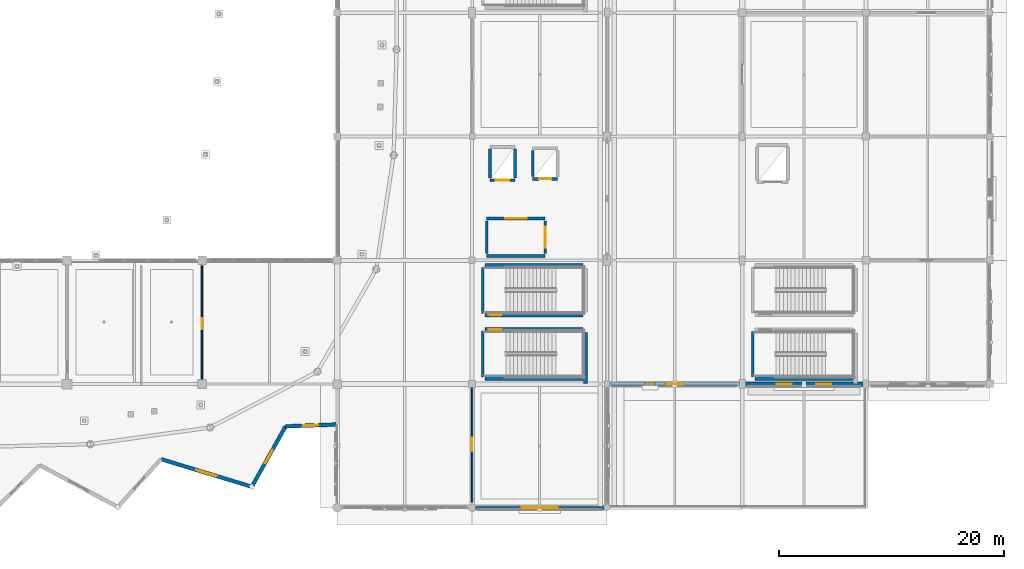
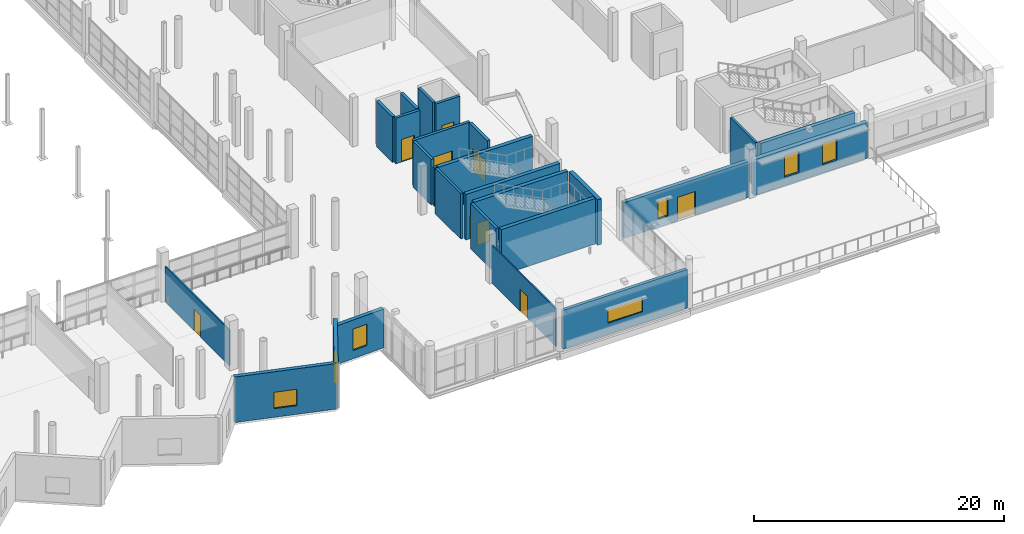
# One storey, part 97 of 143: 26 walls, 9 doors, 7 windows, 16 openings.
"""IFC4 building model written with IfcOpenShell, lengths in metres."""

import ifcopenshell
import ifcopenshell.guid

model = None  # the IFC model being written
_history = None  # IfcOwnerHistory: only IFC2X3 demands one
_inside = {}  # id of a spatial element -> (the spatial element, [elements in it])
_under = {}  # id of a project, library or spatial element -> (it, [spatial elements below it])
_declared = {}  # id of a project -> (the project, [libraries it declares])
_typed = {}  # id of a type object -> (the type object, [elements of that type])
_made_of = {}  # id of a material, layer set ... -> (it, [elements and type objects made of it])


def new_model(schema):
    """Start an empty IFC model of exactly this schema.

    Asked for "IFC4X3", IfcOpenShell would pick the latest addendum, in which some entities
    have other attributes; the version numbers below select the first issue.
    IFC2X3 requires an IfcOwnerHistory on every rooted entity: one is made here for all.
    """
    global model, _history
    if schema == "IFC4X3":
        model = ifcopenshell.file(schema_version=(4, 3, 0, 0))
    else:
        model = ifcopenshell.file(schema=schema)
    _inside.clear()
    _under.clear()
    _declared.clear()
    _typed.clear()
    _made_of.clear()
    _history = None
    if model.schema == "IFC2X3":
        org = make("IfcOrganization", Name="unknown")
        user = make(
            "IfcPersonAndOrganization",
            ThePerson=make("IfcPerson", FamilyName="unknown"),
            TheOrganization=org,
        )
        app = make(
            "IfcApplication",
            ApplicationDeveloper=org,
            Version="unknown",
            ApplicationFullName="unknown",
            ApplicationIdentifier="unknown",
        )
        _history = make(
            "IfcOwnerHistory",
            OwningUser=user,
            OwningApplication=app,
            ChangeAction="ADDED",
            CreationDate=0,
        )
    return model


def make(cls, **values):
    """One entity of the class cls with the attributes given. An attribute that is None is left unset."""
    return model.create_entity(
        cls, **{name: value for name, value in values.items() if value is not None}
    )


def rooted(cls, **values):
    """An entity with a GlobalId (a new one), such as an element, a storey or a relation."""
    return make(cls, GlobalId=ifcopenshell.guid.new(), OwnerHistory=_history, **values)


def si_unit(unit_type, name, prefix=None):
    """IfcSIUnit, for example si_unit("LENGTHUNIT", "METRE", prefix="MILLI")."""
    return make("IfcSIUnit", UnitType=unit_type, Prefix=prefix, Name=name)


def assignment(units):
    """IfcUnitAssignment: the units of a project."""
    return None if units is None else make("IfcUnitAssignment", Units=units)


def point(xyz):
    """IfcCartesianPoint."""
    return None if xyz is None else make("IfcCartesianPoint", Coordinates=xyz)


def direction(xyz):
    """IfcDirection."""
    return None if xyz is None else make("IfcDirection", DirectionRatios=xyz)


def frame(location, z_axis=None, x_axis=None):
    """IfcAxis2Placement3D, a coordinate frame: its origin and axes. An axis left out is left unset."""
    return make(
        "IfcAxis2Placement3D",
        Location=point(location),
        Axis=direction(z_axis),
        RefDirection=direction(x_axis),
    )


def frame_2d(location, x_axis=None):
    """IfcAxis2Placement2D, a coordinate frame in the plane: its origin and x axis."""
    return make(
        "IfcAxis2Placement2D", Location=point(location), RefDirection=direction(x_axis)
    )


def origin():
    """The frame at (0, 0, 0) with its axes left unset."""
    return frame((0.0, 0.0, 0.0))


def place(relative_to, where):
    """IfcLocalPlacement: puts the frame where relative to a parent placement (None: the world)."""
    return make(
        "IfcLocalPlacement", PlacementRelTo=relative_to, RelativePlacement=where
    )


def context(
    kind, dimensions, precision=None, world=None, true_north=None, identifier=None
):
    """IfcGeometricRepresentationContext, for example the 3D "Model" context."""
    return make(
        "IfcGeometricRepresentationContext",
        ContextIdentifier=identifier,
        ContextType=kind,
        CoordinateSpaceDimension=dimensions,
        Precision=precision,
        WorldCoordinateSystem=world,
        TrueNorth=true_north,
    )


def subcontext(parent, identifier, kind, view, scale=None):
    """IfcGeometricRepresentationSubContext, for example "Body" below "Model"."""
    return make(
        "IfcGeometricRepresentationSubContext",
        ContextIdentifier=identifier,
        ContextType=kind,
        ParentContext=parent,
        TargetScale=scale,
        TargetView=view,
    )


def project(units=None, contexts=None):
    """IfcProject with its units and contexts."""
    return rooted(
        "IfcProject",
        Name="project",
        RepresentationContexts=contexts,
        UnitsInContext=assignment(units),
    )


def spatial(cls, under=None, at=None, **own):
    """A site, building, storey or space (cls), placed at a placement, below another one or the project."""
    s = rooted(cls, ObjectPlacement=at, **own)
    if under is not None:
        _under.setdefault(under.id(), (under, []))[1].append(s)
    return s


def profile(cls, at=None, kind="AREA", **sizes):
    """A parametric profile (cls). Its sizes go by their IFC names, for example OverallWidth=200.0."""
    return make(cls, ProfileType=kind, Position=at, **sizes)


def rectangle(**sizes):
    """IfcRectangleProfileDef."""
    return profile("IfcRectangleProfileDef", **sizes)


def extrude(swept, where, along, depth):
    """IfcExtrudedAreaSolid: the profile swept, set in the frame where, extruded along a direction by depth."""
    return make(
        "IfcExtrudedAreaSolid",
        SweptArea=swept,
        Position=where,
        ExtrudedDirection=direction(along),
        Depth=depth,
    )


def shape(context_of_items, identifier, shape_type, items):
    """IfcShapeRepresentation: the items that make up one representation, for example the "Body"."""
    return make(
        "IfcShapeRepresentation",
        ContextOfItems=context_of_items,
        RepresentationIdentifier=identifier,
        RepresentationType=shape_type,
        Items=items,
    )


def material(Name=None, Category=None):
    """IfcMaterial."""
    return make("IfcMaterial", Name=Name, Category=Category)


def layer(
    of_material, thickness, ventilated=None, Name=None, Category=None, Priority=None
):
    """IfcMaterialLayer: one layer of a wall or slab, of a material (None: an air gap)."""
    return make(
        "IfcMaterialLayer",
        Material=of_material,
        LayerThickness=thickness,
        IsVentilated=ventilated,
        Name=Name,
        Category=Category,
        Priority=Priority,
    )


def layer_set(layers, Name=None):
    """IfcMaterialLayerSet."""
    return make("IfcMaterialLayerSet", MaterialLayers=layers, LayerSetName=Name)


def made_of(thing, what):
    """Note that an element or type object is made of a material, layer set ...; save() writes the relation."""
    if what is not None:
        _made_of.setdefault(what.id(), (what, []))[1].append(thing)
    return thing


def type_object(cls, material=None, **own):
    """A type object (cls), such as IfcWallType, which elements share."""
    return made_of(rooted(cls, **own), material)


def element(
    cls,
    number,
    at=None,
    inside=None,
    cuts=None,
    type_object=None,
    material=None,
    context=None,
    identifier="Body",
    shape_type=None,
    held_by="IfcProductDefinitionShape",
    body=None,
    shapes=None,
    **own,
):
    """One element of the class cls, such as IfcWall. Its Tag is "e" and its number.

    at: its placement. inside: the storey or other place that contains it. cuts: it is an
    opening in that element (IfcRelVoidsElement). A single representation is given by context,
    identifier, shape_type and body (its items); several are given by shapes. held_by: the class
    of the entity that holds the representations. save() writes the other relations.
    """
    e = rooted(cls, Tag="e%d" % number, ObjectPlacement=at, **own)
    if body is not None:
        shapes = [shape(context, identifier, shape_type, body)]
    if shapes is not None:
        e.Representation = make(held_by, Representations=shapes)
    if inside is not None:
        _inside.setdefault(inside.id(), (inside, []))[1].append(e)
    if cuts is not None:
        rooted(
            "IfcRelVoidsElement", RelatingBuildingElement=cuts, RelatedOpeningElement=e
        )
    if type_object is not None:
        _typed.setdefault(type_object.id(), (type_object, []))[1].append(e)
    return made_of(e, material)


def fill(opening, filler):
    """IfcRelFillsElement: the door or window that sits in an opening."""
    return rooted(
        "IfcRelFillsElement",
        RelatingOpeningElement=opening,
        RelatedBuildingElement=filler,
    )


def aggregate(whole, parts):
    """IfcRelAggregates: a whole, such as a stair, and the parts it consists of."""
    return rooted("IfcRelAggregates", RelatingObject=whole, RelatedObjects=parts)


def save(model, path):
    """Write the relations noted so far, then the file.

    IfcRelAggregates (storeys below a building ...), IfcRelContainedInSpatialStructure (elements
    in a storey), IfcRelDefinesByType, IfcRelAssociatesMaterial and IfcRelDeclares: one each for
    every whole, place, type object, material and project.
    """
    for whole, parts in _under.values():
        aggregate(whole, parts)
    for where, things in _inside.values():
        rooted(
            "IfcRelContainedInSpatialStructure",
            RelatedElements=things,
            RelatingStructure=where,
        )
    for kind, things in _typed.values():
        rooted("IfcRelDefinesByType", RelatedObjects=things, RelatingType=kind)
    for what, things in _made_of.values():
        rooted("IfcRelAssociatesMaterial", RelatedObjects=things, RelatingMaterial=what)
    for by, libraries in _declared.values():
        rooted("IfcRelDeclares", RelatingContext=by, RelatedDefinitions=libraries)
    model.write(path)


model = new_model("IFC4")

# Units and contexts
model_context = context("Model", 3, precision=1e-05, world=origin(), true_north=direction((0.0, 1.0)))
body_context = subcontext(model_context, "Body", "Model", "MODEL_VIEW")
ifc_project = project(units=[si_unit("LENGTHUNIT", "METRE"), si_unit("AREAUNIT", "SQUARE_METRE"), si_unit("VOLUMEUNIT", "CUBIC_METRE"), si_unit("PLANEANGLEUNIT", "RADIAN"), si_unit("MASSUNIT", "GRAM", prefix="KILO")], contexts=[model_context])

# Site, building, storey
site_placement = place(None, origin())
site = spatial("IfcSite", under=ifc_project, at=site_placement, CompositionType="ELEMENT")
building_placement = place(site_placement, origin())
building = spatial("IfcBuilding", under=site, at=building_placement, Name="Luwafu Chhajja Arena", CompositionType="ELEMENT")
storey_placement = place(building_placement, frame((0.0, 0.0, 5.39990234375)))
storey = spatial("IfcBuildingStorey", under=building, at=storey_placement, Name="L01", CompositionType="ELEMENT", Elevation=5.39990234375)

# Wall, opening, window
ifc_material_1 = material(Name="Concrete C35/45", Category="concrete")
ifc_layer_1 = layer(ifc_material_1, 0.280029296875, Name="Concrete C35/45")
ifc_layer_set_1 = layer_set([ifc_layer_1], Name="Concrete C35/45")
wall_type_1 = type_object("IfcWallType", Name="Colonnade Arcade Spandrel Wall 280", PredefinedType="SOLIDWALL", material=ifc_layer_set_1)
wall_1_placement = place(storey_placement, frame((152.219970703125, 0.0, 0.0), z_axis=(0.0, 0.0, 1.0), x_axis=(1.0, 0.0, 0.0)))
wall_1 = element("IfcWall", 1, at=wall_1_placement, inside=storey, type_object=wall_type_1, Name="L01 Exterior Wall WEX-L01-132", PredefinedType="SOLIDWALL", context=body_context, shape_type="SweptSolid", body=[
    extrude(rectangle(XDim=11.56005859375, YDim=0.280029296875, at=frame_2d((5.780029296875, 0.0))), origin(), (0.0, 0.0, 1.0), 3.7900390625),
])
opening_1_placement = place(wall_1_placement, frame((4.179931640625, 0.0, 1.10009765625)))
opening_1 = element("IfcOpeningElement", 2, at=opening_1_placement, cuts=wall_1, Name="Opening WN-08", PredefinedType="OPENING", context=body_context, shape_type="SweptSolid", body=[
    extrude(rectangle(XDim=3.199951171875, YDim=1.39990234375, at=frame_2d((1.60009765625, 0.699951171875))), frame((0.0, 0.14990234375, 0.0), z_axis=(0.0, -1.0, 0.0), x_axis=(1.0, 0.0, 0.0)), (0.0, 0.0, 1.0), 0.300048828125),
])
ifc_material_2 = material(Name="Solar-control laminated glass", Category="glass")
window_type_1 = type_object("IfcWindowType", Name="Warm-Up Court Clerestory Window 3200x1400", PartitioningType="SINGLE_PANEL", PredefinedType="WINDOW", material=ifc_material_2)
window_1_placement = place(opening_1_placement, origin())
window_1 = element("IfcWindow", 3, at=window_1_placement, inside=storey, type_object=window_type_1, Name="L01 Facade Window 050", OverallHeight=1.39990234375, OverallWidth=3.199951171875, PartitioningType="SINGLE_PANEL", PredefinedType="WINDOW", context=body_context, shape_type="SweptSolid", body=[
    extrude(rectangle(XDim=3.199951171875, YDim=1.39990234375, at=frame_2d((1.60009765625, 0.699951171875))), frame((0.0, 0.030029296875, 0.0), z_axis=(0.0, -1.0, 0.0), x_axis=(1.0, 0.0, 0.0)), (0.0, 0.0, 1.0), 0.06005859375),
])
fill(opening_1, window_1)

# Wall, opening, door
ifc_material_3 = material(Name="Concrete C40/50", Category="concrete")
ifc_layer_2 = layer(ifc_material_3, 0.260009765625, Name="Concrete C40/50")
ifc_layer_set_2 = layer_set([ifc_layer_2], Name="Concrete C40/50")
wall_type_2 = type_object("IfcWallType", Name="Firefighting Lobby Wall 260", PredefinedType="SOLIDWALL", material=ifc_layer_set_2)
wall_2_placement = place(storey_placement, frame((153.300048828125, 25.699951171875, 0.0), z_axis=(0.0, 0.0, 1.0), x_axis=(1.0, 0.0, 0.0)))
wall_2 = element("IfcWall", 4, at=wall_2_placement, inside=storey, type_object=wall_type_2, Name="L01 Core C2 Firefighting Lobby Wall N", PredefinedType="SOLIDWALL", context=body_context, shape_type="SweptSolid", body=[
    extrude(rectangle(XDim=5.199951171875, YDim=0.260009765625, at=frame_2d((2.60009765625, 0.0))), origin(), (0.0, 0.0, 1.0), 4.460205078125),
])
opening_2_placement = place(wall_2_placement, frame((1.64990234375, 0.0, 0.0)))
opening_2 = element("IfcOpeningElement", 5, at=opening_2_placement, cuts=wall_2, Name="Opening DR-07", PredefinedType="OPENING", context=body_context, shape_type="SweptSolid", body=[
    extrude(rectangle(XDim=1.89990234375, YDim=2.199951171875, at=frame_2d((0.949951171875, 1.10009765625))), frame((0.0, 0.139892578125, 0.0), z_axis=(0.0, -1.0, 0.0), x_axis=(1.0, 0.0, 0.0)), (0.0, 0.0, 1.0), 0.280029296875),
])
ifc_material_4 = material(Name="Fire-rated hardwood and vision panel", Category="wood")
door_type_1 = type_object("IfcDoorType", Name="DR-07", OperationType="DOUBLE_DOOR_SINGLE_SWING", PredefinedType="DOOR", material=ifc_material_4)
door_1_placement = place(opening_2_placement, origin())
door_1 = element("IfcDoor", 6, at=door_1_placement, inside=storey, type_object=door_type_1, Name="L01 Firefighting Lobby C2 Door L01-D007", OperationType="DOUBLE_DOOR_SINGLE_SWING", OverallHeight=2.199951171875, OverallWidth=1.89990234375, PredefinedType="DOOR", context=body_context, shape_type="SweptSolid", body=[
    extrude(rectangle(XDim=1.89990234375, YDim=2.199951171875, at=frame_2d((0.949951171875, 1.10009765625))), frame((0.0, 0.02490234375, 0.0), z_axis=(0.0, -1.0, 0.0), x_axis=(1.0, 0.0, 0.0)), (0.0, 0.0, 1.0), 0.050048828125),
])
fill(opening_2, door_1)

# Walls
wall_3_placement = place(storey_placement, frame((153.300048828125, 22.39990234375, 0.0), z_axis=(0.0, 0.0, 1.0), x_axis=(1.0, 0.0, 0.0)))
element("IfcWall", 7, at=wall_3_placement, inside=storey, type_object=wall_type_2, Name="L01 Core C2 Firefighting Lobby Wall S", PredefinedType="SOLIDWALL", context=body_context, shape_type="SweptSolid", body=[
    extrude(rectangle(XDim=5.199951171875, YDim=0.260009765625, at=frame_2d((2.60009765625, 0.0))), origin(), (0.0, 0.0, 1.0), 3.77001953125),
])
wall_4_placement = place(storey_placement, frame((153.300048828125, 22.60009765625, 0.0), z_axis=(0.0, 0.0, 1.0), x_axis=(0.0, 1.0, 0.0)))
element("IfcWall", 8, at=wall_4_placement, inside=storey, type_object=wall_type_2, Name="L01 Core C2 Firefighting Lobby Wall W", PredefinedType="SOLIDWALL", context=body_context, shape_type="SweptSolid", body=[
    extrude(rectangle(XDim=2.89990234375, YDim=0.260009765625, at=frame_2d((1.449951171875, 0.0))), origin(), (0.0, 0.0, 1.0), 4.460205078125),
])

# Wall, opening, door
wall_5_placement = place(storey_placement, frame((158.5, 22.60009765625, 0.0), z_axis=(0.0, 0.0, 1.0), x_axis=(0.0, 1.0, 0.0)))
wall_5 = element("IfcWall", 9, at=wall_5_placement, inside=storey, type_object=wall_type_2, Name="L01 Core C2 Firefighting Lobby Wall E", PredefinedType="SOLIDWALL", context=body_context, shape_type="SweptSolid", body=[
    extrude(rectangle(XDim=2.89990234375, YDim=0.260009765625, at=frame_2d((1.449951171875, 0.0))), origin(), (0.0, 0.0, 1.0), 4.460205078125),
])
opening_3_placement = place(wall_5_placement, frame((0.5, 0.0, 0.0)))
opening_3 = element("IfcOpeningElement", 10, at=opening_3_placement, cuts=wall_5, Name="Opening DR-07", PredefinedType="OPENING", context=body_context, shape_type="SweptSolid", body=[
    extrude(rectangle(XDim=1.89990234375, YDim=2.199951171875, at=frame_2d((0.949951171875, 1.10009765625))), frame((0.0, 0.139892578125, 0.0), z_axis=(0.0, -1.0, 0.0), x_axis=(1.0, 0.0, 0.0)), (0.0, 0.0, 1.0), 0.280029296875),
])
door_2_placement = place(opening_3_placement, origin())
door_2 = element("IfcDoor", 11, at=door_2_placement, inside=storey, type_object=door_type_1, Name="L01 Firefighting Lobby C2 Door L01-D008", OperationType="DOUBLE_DOOR_SINGLE_SWING", OverallHeight=2.199951171875, OverallWidth=1.89990234375, PredefinedType="DOOR", context=body_context, shape_type="SweptSolid", body=[
    extrude(rectangle(XDim=1.89990234375, YDim=2.199951171875, at=frame_2d((0.949951171875, 1.10009765625))), frame((0.0, 0.02490234375, 0.0), z_axis=(0.0, -1.0, 0.0), x_axis=(1.0, 0.0, 0.0)), (0.0, 0.0, 1.0), 0.050048828125),
])
fill(opening_3, door_2)

ifc_material_5 = material(Name="Acoustic metal-stud gypsum board")
ifc_layer_3 = layer(ifc_material_5, 0.1201171875, Name="Acoustic metal-stud gypsum board")
ifc_layer_set_3 = layer_set([ifc_layer_3], Name="Acoustic metal-stud gypsum board")
wall_type_3 = type_object("IfcWallType", Name="Internal Room Partition 120", PredefinedType="PARTITIONING", material=ifc_layer_set_3)
wall_6_placement = place(storey_placement, frame((128.0, 11.219970703125, 0.0), z_axis=(0.0, 0.0, 1.0), x_axis=(0.0, 1.0, 0.0)))
wall_6 = element("IfcWall", 12, at=wall_6_placement, inside=storey, type_object=wall_type_3, Name="L01 Internal Partition 0229", PredefinedType="PARTITIONING", context=body_context, shape_type="SweptSolid", body=[
    extrude(rectangle(XDim=10.300048828125, YDim=0.1201171875, at=frame_2d((5.14990234375, 0.0))), origin(), (0.0, 0.0, 1.0), 3.489990234375),
])
opening_4_placement = place(wall_6_placement, frame((4.659912109375, 0.0, 0.0)))
opening_4 = element("IfcOpeningElement", 13, at=opening_4_placement, cuts=wall_6, Name="Opening DR-27", PredefinedType="OPENING", context=body_context, shape_type="SweptSolid", body=[
    extrude(rectangle(XDim=0.97998046875, YDim=2.10009765625, at=frame_2d((0.489990234375, 1.050048828125))), frame((0.0, 0.070068359375, 0.0), z_axis=(0.0, -1.0, 0.0), x_axis=(1.0, 0.0, 0.0)), (0.0, 0.0, 1.0), 0.14013671875),
])
ifc_material_6 = material(Name="Moisture-resistant laminate leaf")
door_type_2 = type_object("IfcDoorType", Name="DR-27", OperationType="NOTDEFINED", PredefinedType="DOOR", material=ifc_material_6)
door_3_placement = place(opening_4_placement, origin())
door_3 = element("IfcDoor", 14, at=door_3_placement, inside=storey, type_object=door_type_2, Name="L01 Interior Door L01-D040", OperationType="SINGLE_SWING_RIGHT", OverallHeight=2.10009765625, OverallWidth=0.97998046875, PredefinedType="DOOR", context=body_context, shape_type="SweptSolid", body=[
    extrude(rectangle(XDim=0.97998046875, YDim=2.10009765625, at=frame_2d((0.489990234375, 1.050048828125))), frame((0.0, 0.02490234375, 0.0), z_axis=(0.0, -1.0, 0.0), x_axis=(1.0, 0.0, 0.0)), (0.0, 0.0, 1.0), 0.050048828125),
])
fill(opening_4, door_3)

wall_7_placement = place(storey_placement, frame((152.0, 0.47998046875, 0.0), z_axis=(0.0, 0.0, 1.0), x_axis=(0.0, 1.0, 0.0)))
wall_7 = element("IfcWall", 15, at=wall_7_placement, inside=storey, type_object=wall_type_3, Name="L01 Internal Partition 0230", PredefinedType="PARTITIONING", context=body_context, shape_type="SweptSolid", body=[
    extrude(rectangle(XDim=10.300048828125, YDim=0.1201171875, at=frame_2d((5.14990234375, 0.0))), origin(), (0.0, 0.0, 1.0), 3.690185546875),
])
opening_5_placement = place(wall_7_placement, frame((4.56005859375, 0.0, 0.0)))
opening_5 = element("IfcOpeningElement", 16, at=opening_5_placement, cuts=wall_7, Name="Opening DR-21", PredefinedType="OPENING", context=body_context, shape_type="SweptSolid", body=[
    extrude(rectangle(XDim=1.179931640625, YDim=2.14990234375, at=frame_2d((0.58984375, 1.074951171875))), frame((0.0, 0.070068359375, 0.0), z_axis=(0.0, -1.0, 0.0), x_axis=(1.0, 0.0, 0.0)), (0.0, 0.0, 1.0), 0.14013671875),
])
ifc_material_7 = material(Name="Hygienic laminate single leaf")
door_type_3 = type_object("IfcDoorType", Name="DR-21", OperationType="NOTDEFINED", PredefinedType="DOOR", material=ifc_material_7)
door_4_placement = place(opening_5_placement, origin())
door_4 = element("IfcDoor", 17, at=door_4_placement, inside=storey, type_object=door_type_3, Name="L01 Interior Door L01-D041", OperationType="SINGLE_SWING_LEFT", OverallHeight=2.14990234375, OverallWidth=1.179931640625, PredefinedType="DOOR", context=body_context, shape_type="SweptSolid", body=[
    extrude(rectangle(XDim=1.179931640625, YDim=2.14990234375, at=frame_2d((0.58984375, 1.074951171875))), frame((0.0, 0.02490234375, 0.0), z_axis=(0.0, -1.0, 0.0), x_axis=(1.0, 0.0, 0.0)), (0.0, 0.0, 1.0), 0.050048828125),
])
fill(opening_5, door_4)

ifc_layer_4 = layer(ifc_material_1, 0.260009765625, Name="Concrete C35/45")
ifc_layer_set_4 = layer_set([ifc_layer_4], Name="Concrete C35/45")
wall_type_4 = type_object("IfcWallType", Name="Lift and Riser Shaft Wall 260", PredefinedType="SOLIDWALL", material=ifc_layer_set_4)
wall_8_placement = place(storey_placement, frame((153.590087890625, 29.114990234375, 0.0), z_axis=(0.0, 0.0, 1.0), x_axis=(1.0, 0.0, 0.0)))
wall_8 = element("IfcWall", 18, at=wall_8_placement, inside=storey, type_object=wall_type_4, Name="L01 Lift LF-02 Shaft Wall S", PredefinedType="SOLIDWALL", context=body_context, shape_type="SweptSolid", body=[
    extrude(rectangle(XDim=2.219970703125, YDim=0.260009765625, at=frame_2d((1.10986328125, 0.0))), origin(), (0.0, 0.0, 1.0), 4.460205078125),
])
opening_6_placement = place(wall_8_placement, frame((0.510009765625, 0.0, 0.0)))
opening_6 = element("IfcOpeningElement", 19, at=opening_6_placement, cuts=wall_8, Name="Opening LD-02", PredefinedType="OPENING", context=body_context, shape_type="SweptSolid", body=[
    extrude(rectangle(XDim=1.199951171875, YDim=2.199951171875, at=frame_2d((0.60009765625, 1.10009765625))), frame((0.0, 0.139892578125, 0.0), z_axis=(0.0, -1.0, 0.0), x_axis=(1.0, 0.0, 0.0)), (0.0, 0.0, 1.0), 0.280029296875),
])
ifc_material_8 = material(Name="Brushed stainless steel sliding leaves", Category="steel")
door_type_4 = type_object("IfcDoorType", Name="LD-02", OperationType="SLIDING_TO_LEFT", PredefinedType="DOOR", material=ifc_material_8)
door_5_placement = place(opening_6_placement, origin())
door_5 = element("IfcDoor", 20, at=door_5_placement, inside=storey, type_object=door_type_4, Name="L01 Lift LF-02 Landing Door L01-LD03", OperationType="SLIDING_TO_LEFT", OverallHeight=2.199951171875, OverallWidth=1.199951171875, PredefinedType="DOOR", context=body_context, shape_type="SweptSolid", body=[
    extrude(rectangle(XDim=1.199951171875, YDim=2.199951171875, at=frame_2d((0.60009765625, 1.10009765625))), frame((0.0, 0.02490234375, 0.0), z_axis=(0.0, -1.0, 0.0), x_axis=(1.0, 0.0, 0.0)), (0.0, 0.0, 1.0), 0.050048828125),
])
fill(opening_6, door_5)

# Walls
for number, where, z_axis, x_axis, name in (
    (21, (153.590087890625, 29.31494140625, 0.0), (0.0, 0.0, 1.0), (0.0, 1.0, 0.0), "L01 Lift LF-02 Shaft Wall W"),
    (22, (155.81005859375, 29.31494140625, 0.0), (0.0, 0.0, 1.0), (0.0, 1.0, 0.0), "L01 Lift LF-02 Shaft Wall E"),
):
    element("IfcWall", number, at=place(storey_placement, frame(where, z_axis=z_axis, x_axis=x_axis)), inside=storey, type_object=wall_type_4, Name=name, PredefinedType="SOLIDWALL", context=body_context, shape_type="SweptSolid", body=[
        extrude(rectangle(XDim=2.570068359375, YDim=0.260009765625, at=frame_2d((1.28515625, 0.0))), origin(), (0.0, 0.0, 1.0), 4.460205078125),
    ])

# Wall, opening, door
wall_9_placement = place(storey_placement, frame((157.389892578125, 29.239990234375, 0.0), z_axis=(0.0, 0.0, 1.0), x_axis=(1.0, 0.0, 0.0)))
wall_9 = element("IfcWall", 23, at=wall_9_placement, inside=storey, type_object=wall_type_4, Name="L01 Lift LF-06 Shaft Wall S", PredefinedType="SOLIDWALL", context=body_context, shape_type="SweptSolid", body=[
    extrude(rectangle(XDim=2.22021484375, YDim=0.260009765625, at=frame_2d((1.110107421875, 0.0))), origin(), (0.0, 0.0, 1.0), 4.460205078125),
])
opening_7_placement = place(wall_9_placement, frame((0.56005859375, 0.0, 0.0)))
opening_7 = element("IfcOpeningElement", 24, at=opening_7_placement, cuts=wall_9, Name="Opening LD-01", PredefinedType="OPENING", context=body_context, shape_type="SweptSolid", body=[
    extrude(rectangle(XDim=1.10009765625, YDim=2.14990234375, at=frame_2d((0.550048828125, 1.074951171875))), frame((0.0, 0.139892578125, 0.0), z_axis=(0.0, -1.0, 0.0), x_axis=(1.0, 0.0, 0.0)), (0.0, 0.0, 1.0), 0.280029296875),
])
door_type_5 = type_object("IfcDoorType", Name="LD-01", OperationType="SLIDING_TO_LEFT", PredefinedType="DOOR", material=ifc_material_8)
door_6_placement = place(opening_7_placement, origin())
door_6 = element("IfcDoor", 25, at=door_6_placement, inside=storey, type_object=door_type_5, Name="L01 Lift LF-06 Landing Door L01-LD04", OperationType="SLIDING_TO_LEFT", OverallHeight=2.14990234375, OverallWidth=1.10009765625, PredefinedType="DOOR", context=body_context, shape_type="SweptSolid", body=[
    extrude(rectangle(XDim=1.10009765625, YDim=2.14990234375, at=frame_2d((0.550048828125, 1.074951171875))), frame((0.0, 0.02490234375, 0.0), z_axis=(0.0, -1.0, 0.0), x_axis=(1.0, 0.0, 0.0)), (0.0, 0.0, 1.0), 0.050048828125),
])
fill(opening_7, door_6)

# Wall
wall_10_placement = place(storey_placement, frame((157.389892578125, 29.43994140625, 0.0), z_axis=(0.0, 0.0, 1.0), x_axis=(0.0, 1.0, 0.0)))
element("IfcWall", 26, at=wall_10_placement, inside=storey, type_object=wall_type_4, Name="L01 Lift LF-06 Shaft Wall W", PredefinedType="SOLIDWALL", context=body_context, shape_type="SweptSolid", body=[
    extrude(rectangle(XDim=2.320068359375, YDim=0.260009765625, at=frame_2d((1.16015625, 0.0))), origin(), (0.0, 0.0, 1.0), 4.460205078125),
])

# Wall, opening, window
ifc_material_9 = material(Name="Precast concrete C40/50", Category="concrete")
ifc_layer_5 = layer(ifc_material_9, 0.340087890625, Name="Precast concrete C40/50")
ifc_layer_set_5 = layer_set([ifc_layer_5], Name="Precast concrete C40/50")
wall_type_5 = type_object("IfcWallType", Name="Pleated Bowl V-Fold Wall 340", PredefinedType="USERDEFINED", material=ifc_layer_set_5)
wall_11_placement = place(storey_placement, frame((124.364013671875, 4.316162109375, 0.0), z_axis=(0.0, 0.0, 1.0), x_axis=(0.956738407321, -0.290949514446, 0.0)))
wall_11 = element("IfcWall", 27, at=wall_11_placement, inside=storey, type_object=wall_type_5, Name="L01 Pleated Bowl V-Fold Wall 54", ObjectType="PLEATED FACADE WALL", PredefinedType="USERDEFINED", context=body_context, shape_type="SweptSolid", body=[
    extrude(rectangle(XDim=8.427978515625, YDim=0.340087890625, at=frame_2d((4.2138671875, 0.0))), origin(), (0.0, 0.0, 1.0), 4.455078125),
])
opening_8_placement = place(wall_11_placement, frame((3.263916015625, 0.0, 0.85009765625)))
opening_8 = element("IfcOpeningElement", 28, at=opening_8_placement, cuts=wall_11, Name="Opening WN-15", PredefinedType="OPENING", context=body_context, shape_type="SweptSolid", body=[
    extrude(rectangle(XDim=1.89990234375, YDim=1.60009765625, at=frame_2d((0.949951171875, 0.800048828125))), frame((0.0, 0.179931640625, 0.0), z_axis=(0.0, -1.0, 0.0), x_axis=(1.0, 0.0, 0.0)), (0.0, 0.0, 1.0), 0.360107421875),
])
window_type_2 = type_object("IfcWindowType", Name="Pleated Drum Inward-Fold Clerestory 1900x1600", PartitioningType="SINGLE_PANEL", PredefinedType="WINDOW", material=ifc_material_2)
window_2_placement = place(opening_8_placement, origin())
window_2 = element("IfcWindow", 29, at=window_2_placement, inside=storey, type_object=window_type_2, Name="L01 Pleated Bowl Lancet Window 016", OverallHeight=1.60009765625, OverallWidth=1.89990234375, PartitioningType="SINGLE_PANEL", PredefinedType="WINDOW", context=body_context, shape_type="SweptSolid", body=[
    extrude(rectangle(XDim=1.89990234375, YDim=1.60009765625, at=frame_2d((0.949951171875, 0.800048828125))), frame((0.0, 0.030029296875, 0.0), z_axis=(0.0, -1.0, 0.0), x_axis=(1.0, 0.0, 0.0)), (0.0, 0.0, 1.0), 0.06005859375),
])
fill(opening_8, window_2)

wall_12_placement = place(storey_placement, frame((132.427490234375, 1.864013671875, 0.0), z_axis=(0.0, 0.0, 1.0), x_axis=(0.487306352228, 0.87323108, 0.0)))
wall_12 = element("IfcWall", 30, at=wall_12_placement, inside=storey, type_object=wall_type_5, Name="L01 Pleated Bowl V-Fold Wall 55", ObjectType="PLEATED FACADE WALL", PredefinedType="USERDEFINED", context=body_context, shape_type="SweptSolid", body=[
    extrude(rectangle(XDim=6.15283203125, YDim=0.340087890625, at=frame_2d((3.076416015625, 0.0))), origin(), (0.0, 0.0, 1.0), 4.455078125),
])
opening_9_placement = place(wall_12_placement, frame((2.401611328125, 0.0, 0.800048828125)))
opening_9 = element("IfcOpeningElement", 31, at=opening_9_placement, cuts=wall_12, Name="Opening WN-17", PredefinedType="OPENING", context=body_context, shape_type="SweptSolid", body=[
    extrude(rectangle(XDim=1.35009765625, YDim=2.10009765625, at=frame_2d((0.675048828125, 1.050048828125))), frame((0.0, 0.179931640625, 0.0), z_axis=(0.0, -1.0, 0.0), x_axis=(1.0, 0.0, 0.0)), (0.0, 0.0, 1.0), 0.360107421875),
])
window_type_3 = type_object("IfcWindowType", Name="Exhibition Mezzanine Lancet Window 1350x2100", PartitioningType="SINGLE_PANEL", PredefinedType="WINDOW", material=ifc_material_2)
window_3_placement = place(opening_9_placement, origin())
window_3 = element("IfcWindow", 32, at=window_3_placement, inside=storey, type_object=window_type_3, Name="L01 Pleated Bowl Lancet Window 017", OverallHeight=2.10009765625, OverallWidth=1.35009765625, PartitioningType="SINGLE_PANEL", PredefinedType="WINDOW", context=body_context, shape_type="SweptSolid", body=[
    extrude(rectangle(XDim=1.35009765625, YDim=2.10009765625, at=frame_2d((0.675048828125, 1.050048828125))), frame((0.0, 0.030029296875, 0.0), z_axis=(0.0, -1.0, 0.0), x_axis=(1.0, 0.0, 0.0)), (0.0, 0.0, 1.0), 0.06005859375),
])
fill(opening_9, window_3)

wall_13_placement = place(storey_placement, frame((135.42578125, 7.23681640625, 0.0), z_axis=(0.0, 0.0, 1.0), x_axis=(0.999296191983, 0.037511607381, 0.0)))
wall_13 = element("IfcWall", 33, at=wall_13_placement, inside=storey, type_object=wall_type_5, Name="L01 Pleated Bowl V-Fold Wall 56", ObjectType="PLEATED FACADE WALL", PredefinedType="USERDEFINED", context=body_context, shape_type="SweptSolid", body=[
    extrude(rectangle(XDim=4.497314453125, YDim=0.340087890625, at=frame_2d((2.24853515625, 0.0))), origin(), (0.0, 0.0, 1.0), 3.7900390625),
])
opening_10_placement = place(wall_13_placement, frame((1.573486328125, 0.0, 0.800048828125)))
opening_10 = element("IfcOpeningElement", 34, at=opening_10_placement, cuts=wall_13, Name="Opening WN-17", PredefinedType="OPENING", context=body_context, shape_type="SweptSolid", body=[
    extrude(rectangle(XDim=1.35009765625, YDim=2.10009765625, at=frame_2d((0.675048828125, 1.050048828125))), frame((0.0, 0.179931640625, 0.0), z_axis=(0.0, -1.0, 0.0), x_axis=(1.0, 0.0, 0.0)), (0.0, 0.0, 1.0), 0.360107421875),
])
window_4_placement = place(opening_10_placement, origin())
window_4 = element("IfcWindow", 35, at=window_4_placement, inside=storey, type_object=window_type_3, Name="L01 Pleated Bowl Lancet Window 018", OverallHeight=2.10009765625, OverallWidth=1.35009765625, PartitioningType="SINGLE_PANEL", PredefinedType="WINDOW", context=body_context, shape_type="SweptSolid", body=[
    extrude(rectangle(XDim=1.35009765625, YDim=2.10009765625, at=frame_2d((0.675048828125, 1.050048828125))), frame((0.0, 0.030029296875, 0.0), z_axis=(0.0, -1.0, 0.0), x_axis=(1.0, 0.0, 0.0)), (0.0, 0.0, 1.0), 0.06005859375),
])
fill(opening_10, window_4)

# Walls
ifc_layer_6 = layer(ifc_material_3, 0.35009765625, Name="Concrete C40/50")
ifc_layer_set_6 = layer_set([ifc_layer_6], Name="Concrete C40/50")
wall_type_6 = type_object("IfcWallType", Name="RC Core Shear Wall 350", PredefinedType="SOLIDWALL", material=ifc_layer_set_6)
wall_14_placement = place(storey_placement, frame((162.072021484375, 11.050048828125, 0.0), z_axis=(0.0, 0.0, 1.0), x_axis=(0.0, 1.0, 0.0)))
element("IfcWall", 36, at=wall_14_placement, inside=storey, type_object=wall_type_6, Name="L01 Stair ST-03 Core Shear Wall E", PredefinedType="SOLIDWALL", context=body_context, shape_type="SweptSolid", body=[
    extrude(rectangle(XDim=4.5400390625, YDim=0.35009765625, at=frame_2d((2.27001953125, 0.0))), origin(), (0.0, 0.0, 1.0), 4.460205078125),
])
wall_15_placement = place(storey_placement, frame((153.14990234375, 11.47802734375, 0.0), z_axis=(0.0, 0.0, 1.0), x_axis=(1.0, 0.0, 0.0)))
element("IfcWall", 37, at=wall_15_placement, inside=storey, type_object=wall_type_6, Name="L01 Stair ST-03 Core Shear Wall S", PredefinedType="SOLIDWALL", context=body_context, shape_type="SweptSolid", body=[
    extrude(rectangle(XDim=8.7001953125, YDim=0.35009765625, at=frame_2d((4.35009765625, 0.0))), origin(), (0.0, 0.0, 1.0), 4.460205078125),
])

# Wall, opening, door
wall_16_placement = place(storey_placement, frame((153.14990234375, 15.862060546875, 0.0), z_axis=(0.0, 0.0, 1.0), x_axis=(1.0, 0.0, 0.0)))
wall_16 = element("IfcWall", 38, at=wall_16_placement, inside=storey, type_object=wall_type_6, Name="L01 Stair ST-03 Core Shear Wall N", PredefinedType="SOLIDWALL", context=body_context, shape_type="SweptSolid", body=[
    extrude(rectangle(XDim=8.7001953125, YDim=0.35009765625, at=frame_2d((4.35009765625, 0.0))), origin(), (0.0, 0.0, 1.0), 4.460205078125),
])
opening_11_placement = place(wall_16_placement, frame((0.35009765625, 0.0, 0.0)))
opening_11 = element("IfcOpeningElement", 39, at=opening_11_placement, cuts=wall_16, Name="Opening DR-06", PredefinedType="OPENING", context=body_context, shape_type="SweptSolid", body=[
    extrude(rectangle(XDim=1.14990234375, YDim=2.199951171875, at=frame_2d((0.574951171875, 1.10009765625))), frame((0.0, 0.18505859375, 0.0), z_axis=(0.0, -1.0, 0.0), x_axis=(1.0, 0.0, 0.0)), (0.0, 0.0, 1.0), 0.3701171875),
])
ifc_material_10 = material(Name="Fire-rated hardwood and steel core", Category="steel")
door_type_6 = type_object("IfcDoorType", Name="DR-06", OperationType="NOTDEFINED", PredefinedType="DOOR", material=ifc_material_10)
door_7_placement = place(opening_11_placement, origin())
door_7 = element("IfcDoor", 40, at=door_7_placement, inside=storey, type_object=door_type_6, Name="L01 Escape Stair ST-03 Fire Door L01-D005", OperationType="SINGLE_SWING_RIGHT", OverallHeight=2.199951171875, OverallWidth=1.14990234375, PredefinedType="DOOR", context=body_context, shape_type="SweptSolid", body=[
    extrude(rectangle(XDim=1.14990234375, YDim=2.199951171875, at=frame_2d((0.574951171875, 1.10009765625))), frame((0.0, 0.02490234375, 0.0), z_axis=(0.0, -1.0, 0.0), x_axis=(1.0, 0.0, 0.0)), (0.0, 0.0, 1.0), 0.050048828125),
])
fill(opening_11, door_7)

wall_17_placement = place(storey_placement, frame((153.14990234375, 17.137939453125, 0.0), z_axis=(0.0, 0.0, 1.0), x_axis=(1.0, 0.0, 0.0)))
wall_17 = element("IfcWall", 41, at=wall_17_placement, inside=storey, type_object=wall_type_6, Name="L01 Stair ST-04 Core Shear Wall S", PredefinedType="SOLIDWALL", context=body_context, shape_type="SweptSolid", body=[
    extrude(rectangle(XDim=8.7001953125, YDim=0.35009765625, at=frame_2d((4.35009765625, 0.0))), origin(), (0.0, 0.0, 1.0), 4.460205078125),
])
opening_12_placement = place(wall_17_placement, frame((0.35009765625, 0.0, 0.0)))
opening_12 = element("IfcOpeningElement", 42, at=opening_12_placement, cuts=wall_17, Name="Opening DR-06", PredefinedType="OPENING", context=body_context, shape_type="SweptSolid", body=[
    extrude(rectangle(XDim=1.14990234375, YDim=2.199951171875, at=frame_2d((0.574951171875, 1.10009765625))), frame((0.0, 0.18505859375, 0.0), z_axis=(0.0, -1.0, 0.0), x_axis=(1.0, 0.0, 0.0)), (0.0, 0.0, 1.0), 0.3701171875),
])
door_8_placement = place(opening_12_placement, origin())
door_8 = element("IfcDoor", 43, at=door_8_placement, inside=storey, type_object=door_type_6, Name="L01 Escape Stair ST-04 Fire Door L01-D006", OperationType="SINGLE_SWING_LEFT", OverallHeight=2.199951171875, OverallWidth=1.14990234375, PredefinedType="DOOR", context=body_context, shape_type="SweptSolid", body=[
    extrude(rectangle(XDim=1.14990234375, YDim=2.199951171875, at=frame_2d((0.574951171875, 1.10009765625))), frame((0.0, 0.02490234375, 0.0), z_axis=(0.0, -1.0, 0.0), x_axis=(1.0, 0.0, 0.0)), (0.0, 0.0, 1.0), 0.050048828125),
])
fill(opening_12, door_8)

# Walls
for number, where, z_axis, x_axis, name in (
    (44, (153.14990234375, 21.52197265625, 0.0), (0.0, 0.0, 1.0), (1.0, 0.0, 0.0), "L01 Stair ST-04 Core Shear Wall N"),
    (45, (177.14990234375, 11.47802734375, 0.0), (0.0, 0.0, 1.0), (1.0, 0.0, 0.0), "L01 Stair ST-15 Core Shear Wall S"),
):
    element("IfcWall", number, at=place(storey_placement, frame(where, z_axis=z_axis, x_axis=x_axis)), inside=storey, type_object=wall_type_6, Name=name, PredefinedType="SOLIDWALL", context=body_context, shape_type="SweptSolid", body=[
        extrude(rectangle(XDim=8.7001953125, YDim=0.35009765625, at=frame_2d((4.35009765625, 0.0))), origin(), (0.0, 0.0, 1.0), 4.460205078125),
    ])

# Wall, openings, windows
ifc_layer_7 = layer(ifc_material_3, 0.39990234375, Name="Concrete C40/50")
ifc_layer_set_7 = layer_set([ifc_layer_7], Name="Concrete C40/50")
wall_type_7 = type_object("IfcWallType", Name="RC Core Shear Wall 400", PredefinedType="SOLIDWALL", material=ifc_layer_set_7)
wall_18_placement = place(storey_placement, frame((176.219970703125, 11.0, 0.0), z_axis=(0.0, 0.0, 1.0), x_axis=(1.0, 0.0, 0.0)))
wall_18 = element("IfcWall", 46, at=wall_18_placement, inside=storey, type_object=wall_type_7, Name="L01 Exterior Wall WEX-L01-135", PredefinedType="SOLIDWALL", context=body_context, shape_type="SweptSolid", body=[
    extrude(rectangle(XDim=10.56005859375, YDim=0.39990234375, at=frame_2d((5.280029296875, 0.0))), origin(), (0.0, 0.0, 1.0), 3.489990234375),
])
opening_13_placement = place(wall_18_placement, frame((2.844970703125, 0.0, 0.800048828125)))
opening_13 = element("IfcOpeningElement", 47, at=opening_13_placement, cuts=wall_18, Name="Opening WN-17", PredefinedType="OPENING", context=body_context, shape_type="SweptSolid", body=[
    extrude(rectangle(XDim=1.35009765625, YDim=2.10009765625, at=frame_2d((0.675048828125, 1.050048828125))), frame((0.0, 0.2099609375, 0.0), z_axis=(0.0, -1.0, 0.0), x_axis=(1.0, 0.0, 0.0)), (0.0, 0.0, 1.0), 0.419921875),
])
opening_14_placement = place(wall_18_placement, frame((6.364990234375, 0.0, 0.800048828125)))
opening_14 = element("IfcOpeningElement", 48, at=opening_14_placement, cuts=wall_18, Name="Opening WN-17", PredefinedType="OPENING", context=body_context, shape_type="SweptSolid", body=[
    extrude(rectangle(XDim=1.35009765625, YDim=2.10009765625, at=frame_2d((0.675048828125, 1.050048828125))), frame((0.0, 0.2099609375, 0.0), z_axis=(0.0, -1.0, 0.0), x_axis=(1.0, 0.0, 0.0)), (0.0, 0.0, 1.0), 0.419921875),
])
window_5_placement = place(opening_13_placement, origin())
window_5 = element("IfcWindow", 49, at=window_5_placement, inside=storey, type_object=window_type_3, Name="L01 Facade Window 054", OverallHeight=2.10009765625, OverallWidth=1.35009765625, PartitioningType="SINGLE_PANEL", PredefinedType="WINDOW", context=body_context, shape_type="SweptSolid", body=[
    extrude(rectangle(XDim=1.35009765625, YDim=2.10009765625, at=frame_2d((0.675048828125, 1.050048828125))), frame((0.0, 0.030029296875, 0.0), z_axis=(0.0, -1.0, 0.0), x_axis=(1.0, 0.0, 0.0)), (0.0, 0.0, 1.0), 0.06005859375),
])
fill(opening_13, window_5)
window_6_placement = place(opening_14_placement, origin())
window_6 = element("IfcWindow", 50, at=window_6_placement, inside=storey, type_object=window_type_3, Name="L01 Facade Window 055", OverallHeight=2.10009765625, OverallWidth=1.35009765625, PartitioningType="SINGLE_PANEL", PredefinedType="WINDOW", context=body_context, shape_type="SweptSolid", body=[
    extrude(rectangle(XDim=1.35009765625, YDim=2.10009765625, at=frame_2d((0.675048828125, 1.050048828125))), frame((0.0, 0.030029296875, 0.0), z_axis=(0.0, -1.0, 0.0), x_axis=(1.0, 0.0, 0.0)), (0.0, 0.0, 1.0), 0.06005859375),
])
fill(opening_14, window_6)

# Wall, openings, door, window
ifc_layer_8 = layer(ifc_material_1, 0.360107421875, Name="Concrete C35/45")
ifc_layer_set_8 = layer_set([ifc_layer_8], Name="Concrete C35/45")
wall_type_8 = type_object("IfcWallType", Name="Sandstone Backed Exterior Wall 360", PredefinedType="SOLIDWALL", material=ifc_layer_set_8)
wall_19_placement = place(storey_placement, frame((164.2099609375, 11.0, 0.0), z_axis=(0.0, 0.0, 1.0), x_axis=(1.0, 0.0, 0.0)))
wall_19 = element("IfcWall", 51, at=wall_19_placement, inside=storey, type_object=wall_type_8, Name="L01 Exterior Wall WEX-L01-133", PredefinedType="SOLIDWALL", context=body_context, shape_type="SweptSolid", body=[
    extrude(rectangle(XDim=11.570068359375, YDim=0.360107421875, at=frame_2d((5.78515625, 0.0))), origin(), (0.0, 0.0, 1.0), 3.489990234375),
])
opening_15_placement = place(wall_19_placement, frame((4.9599609375, 0.0, 0.0)))
opening_15 = element("IfcOpeningElement", 52, at=opening_15_placement, cuts=wall_19, Name="Opening DR-29", PredefinedType="OPENING", context=body_context, shape_type="SweptSolid", body=[
    extrude(rectangle(XDim=1.64990234375, YDim=2.300048828125, at=frame_2d((0.824951171875, 1.14990234375))), frame((0.0, 0.18994140625, 0.0), z_axis=(0.0, -1.0, 0.0), x_axis=(1.0, 0.0, 0.0)), (0.0, 0.0, 1.0), 0.380126953125),
])
opening_16_placement = place(wall_19_placement, frame((3.16552734375, 0.0, 0.800048828125)))
opening_16 = element("IfcOpeningElement", 53, at=opening_16_placement, cuts=wall_19, Name="Opening WN-16", PredefinedType="OPENING", context=body_context, shape_type="SweptSolid", body=[
    extrude(rectangle(XDim=0.89990234375, YDim=1.800048828125, at=frame_2d((0.449951171875, 0.89990234375))), frame((0.0, 0.18994140625, 0.0), z_axis=(0.0, -1.0, 0.0), x_axis=(1.0, 0.0, 0.0)), (0.0, 0.0, 1.0), 0.380126953125),
])
ifc_material_11 = material(Name="Anodised bronze thermally broken double glazed door")
door_type_7 = type_object("IfcDoorType", Name="DR-29", OperationType="DOUBLE_DOOR_SINGLE_SWING", PredefinedType="DOOR", material=ifc_material_11)
door_9_placement = place(opening_15_placement, frame((1.64990234375, 0.0, 0.0), z_axis=(0.0, 0.0, 1.0), x_axis=(-1.0, 0.0, 0.0)))
door_9 = element("IfcDoor", 54, at=door_9_placement, inside=storey, type_object=door_type_7, Name="L01 Viewing Terrace Access Door L01-TD01", OperationType="DOUBLE_DOOR_SINGLE_SWING", OverallHeight=2.300048828125, OverallWidth=1.64990234375, PredefinedType="DOOR", context=body_context, shape_type="SweptSolid", body=[
    extrude(rectangle(XDim=1.64990234375, YDim=2.300048828125, at=frame_2d((0.824951171875, 1.14990234375))), frame((0.0, 0.02490234375, 0.0), z_axis=(0.0, -1.0, 0.0), x_axis=(1.0, 0.0, 0.0)), (0.0, 0.0, 1.0), 0.050048828125),
])
fill(opening_15, door_9)
window_type_4 = type_object("IfcWindowType", Name="Stair Core Daylight Slot Window 900x1800", PartitioningType="SINGLE_PANEL", PredefinedType="WINDOW", material=ifc_material_2)
window_7_placement = place(opening_16_placement, origin())
window_7 = element("IfcWindow", 55, at=window_7_placement, inside=storey, type_object=window_type_4, Name="L01 Facade Window 051", OverallHeight=1.800048828125, OverallWidth=0.89990234375, PartitioningType="SINGLE_PANEL", PredefinedType="WINDOW", context=body_context, shape_type="SweptSolid", body=[
    extrude(rectangle(XDim=0.89990234375, YDim=1.800048828125, at=frame_2d((0.449951171875, 0.89990234375))), frame((0.0, 0.030029296875, 0.0), z_axis=(0.0, -1.0, 0.0), x_axis=(1.0, 0.0, 0.0)), (0.0, 0.0, 1.0), 0.06005859375),
])
fill(opening_16, window_7)

# Walls
ifc_layer_9 = layer(ifc_material_1, 0.22998046875, Name="Concrete C35/45")
ifc_layer_set_9 = layer_set([ifc_layer_9], Name="Concrete C35/45")
wall_type_9 = type_object("IfcWallType", Name="Stair Enclosure Wall 230", PredefinedType="SOLIDWALL", material=ifc_layer_set_9)
for number, where, z_axis, x_axis, name in (
    (56, (152.9599609375, 11.6298828125, 0.0), (0.0, 0.0, 1.0), (0.0, 1.0, 0.0), "L01 Stair ST-03 Enclosure Wall W"),
    (57, (152.9599609375, 17.2900390625, 0.0), (0.0, 0.0, 1.0), (0.0, 1.0, 0.0), "L01 Stair ST-04 Enclosure Wall W"),
):
    element("IfcWall", number, at=place(storey_placement, frame(where, z_axis=z_axis, x_axis=x_axis)), inside=storey, type_object=wall_type_9, Name=name, PredefinedType="SOLIDWALL", context=body_context, shape_type="SweptSolid", body=[
        extrude(rectangle(XDim=4.080078125, YDim=0.22998046875, at=frame_2d((2.0400390625, 0.0))), origin(), (0.0, 0.0, 1.0), 4.460205078125),
    ])
wall_20_placement = place(storey_placement, frame((176.9599609375, 11.6298828125, 0.0), z_axis=(0.0, 0.0, 1.0), x_axis=(0.0, 1.0, 0.0)))
element("IfcWall", 58, at=wall_20_placement, inside=storey, type_object=wall_type_9, Name="L01 Stair ST-15 Enclosure Wall W", PredefinedType="SOLIDWALL", context=body_context, shape_type="SweptSolid", body=[
    extrude(rectangle(XDim=4.0400390625, YDim=0.22998046875, at=frame_2d((2.02001953125, 0.0))), origin(), (0.0, 0.0, 1.0), 4.460205078125),
])

save(model, "model.ifc")
